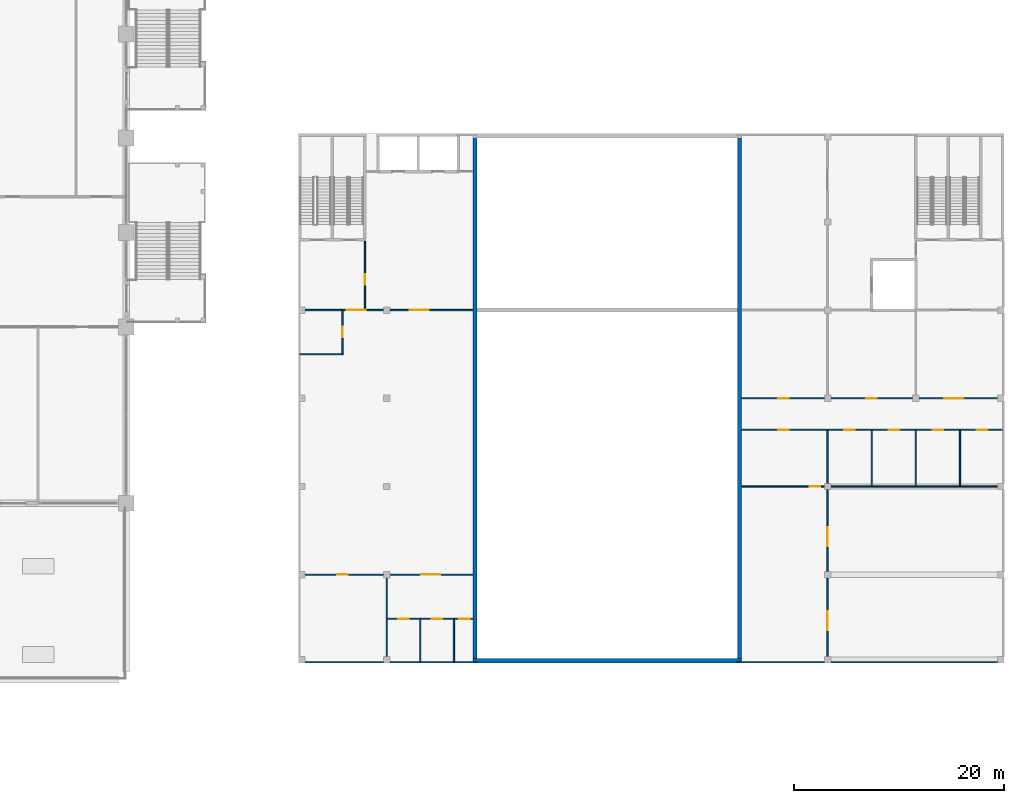
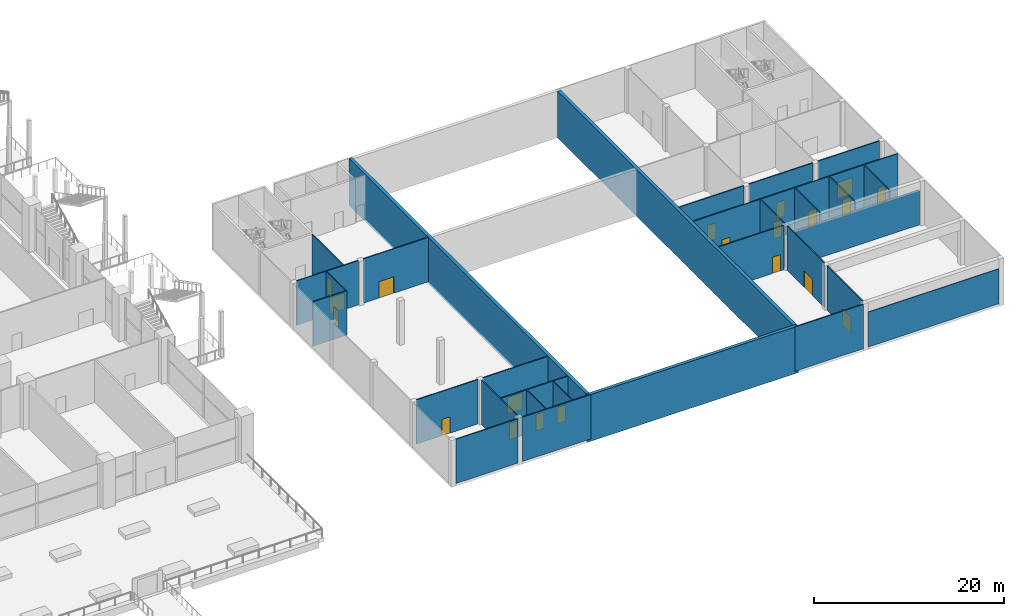
# One storey, part 27 of 47: 30 walls, 20 doors, 20 openings.
"""IFC4 building model written with IfcOpenShell, lengths in metres."""

from ifc_helpers import new_model, si_unit, direction, frame, frame_2d, origin, place, context, subcontext, project, spatial, rectangle, extrude, material, layer, layer_set, type_object, element, fill, save


model = new_model("IFC4")

# Units and contexts
model_context = context("Model", 3, precision=1e-05, world=origin(), true_north=direction((0.0, 1.0)))
body_context = subcontext(model_context, "Body", "Model", "MODEL_VIEW")
ifc_project = project(units=[si_unit("LENGTHUNIT", "METRE"), si_unit("AREAUNIT", "SQUARE_METRE"), si_unit("VOLUMEUNIT", "CUBIC_METRE"), si_unit("PLANEANGLEUNIT", "RADIAN"), si_unit("MASSUNIT", "GRAM", prefix="KILO")], contexts=[model_context])

# Site, building, storey
site_placement = place(None, origin())
site = spatial("IfcSite", under=ifc_project, at=site_placement, CompositionType="ELEMENT")
building_placement = place(site_placement, origin())
building = spatial("IfcBuilding", under=site, at=building_placement, Name="Candeia Pilgrim Tower and Theatre", CompositionType="ELEMENT")
storey_placement = place(building_placement, frame((0.0, 0.0, 23.0)))
storey = spatial("IfcBuildingStorey", under=building, at=storey_placement, Name="L03", CompositionType="ELEMENT", Elevation=23.0)

# Walls
ifc_material_1 = material(Name="Gypsum board on steel studs", Category="steel")
ifc_layer_1 = layer(ifc_material_1, 0.125)
ifc_layer_set_1 = layer_set([ifc_layer_1], Name="Partition 125")
wall_type_1 = type_object("IfcWallType", Name="Partition 125", PredefinedType="PARTITIONING", material=ifc_layer_set_1)
wall_1_placement = place(storey_placement, frame((176.60009765625, 66.0625, 0.0), z_axis=(0.0, 0.0, 1.0), x_axis=(1.0, 0.0, 0.0)))
element("IfcWall", 1, at=wall_1_placement, inside=storey, type_object=wall_type_1, Name="T-L03-W001", PredefinedType="PARTITIONING", context=body_context, shape_type="SweptSolid", body=[
    extrude(rectangle(XDim=7.5, YDim=0.125, at=frame_2d((3.75, 0.0))), origin(), (0.0, 0.0, 1.0), 5.699951171875),
])
for number, where, z_axis, x_axis, name in (
    (2, (184.699951171875, 66.0625, 0.0), (0.0, 0.0, 1.0), (1.0, 0.0, 0.0), "T-L03-W002"),
    (3, (217.800048828125, 66.0625, 0.0), (0.0, 0.0, 1.0), (1.0, 0.0, 0.0), "T-L03-W003"),
):
    element("IfcWall", number, at=place(storey_placement, frame(where, z_axis=z_axis, x_axis=x_axis)), inside=storey, type_object=wall_type_1, Name=name, PredefinedType="PARTITIONING", context=body_context, shape_type="SweptSolid", body=[
        extrude(rectangle(XDim=8.300048828125, YDim=0.125, at=frame_2d((4.14990234375, 0.0))), origin(), (0.0, 0.0, 1.0), 5.699951171875),
    ])
wall_2_placement = place(storey_placement, frame((226.699951171875, 66.0625, 0.0), z_axis=(0.0, 0.0, 1.0), x_axis=(1.0, 0.0, 0.0)))
element("IfcWall", 4, at=wall_2_placement, inside=storey, type_object=wall_type_1, Name="T-L03-W004", PredefinedType="PARTITIONING", context=body_context, shape_type="SweptSolid", body=[
    extrude(rectangle(XDim=15.900146484375, YDim=0.125, at=frame_2d((7.9501953125, 0.0))), origin(), (0.0, 0.0, 1.0), 4.5),
])

# Wall, openings, doors
wall_3_placement = place(storey_placement, frame((184.46240234375, 70.199951171875, 0.0), z_axis=(0.0, 0.0, 1.0), x_axis=(1.0, 0.0, 0.0)))
wall_3 = element("IfcWall", 5, at=wall_3_placement, inside=storey, type_object=wall_type_1, Name="T-L03-W006", PredefinedType="PARTITIONING", context=body_context, shape_type="SweptSolid", body=[
    extrude(rectangle(XDim=8.1376953125, YDim=0.125, at=frame_2d((4.06884765625, 0.0))), origin(), (0.0, 0.0, 1.0), 5.699951171875),
])
opening_1_placement = place(wall_3_placement, frame((1.03759765625, 0.0, 0.0)))
opening_1 = element("IfcOpeningElement", 6, at=opening_1_placement, cuts=wall_3, Name="Opening TD-L03-013", PredefinedType="OPENING", context=body_context, shape_type="SweptSolid", body=[
    extrude(rectangle(XDim=1.0, YDim=2.10009765625, at=frame_2d((0.5, 1.050048828125))), frame((0.0, 0.072509765625, 0.0), z_axis=(0.0, -1.0, 0.0), x_axis=(1.0, 0.0, 0.0)), (0.0, 0.0, 1.0), 0.14501953125),
])
opening_2_placement = place(wall_3_placement, frame((4.237548828125, 0.0, 0.0)))
opening_2 = element("IfcOpeningElement", 7, at=opening_2_placement, cuts=wall_3, Name="Opening TD-L03-014", PredefinedType="OPENING", context=body_context, shape_type="SweptSolid", body=[
    extrude(rectangle(XDim=1.0, YDim=2.10009765625, at=frame_2d((0.5, 1.050048828125))), frame((0.0, 0.072509765625, 0.0), z_axis=(0.0, -1.0, 0.0), x_axis=(1.0, 0.0, 0.0)), (0.0, 0.0, 1.0), 0.14501953125),
])
opening_3_placement = place(wall_3_placement, frame((6.83740234375, 0.0, 0.0)))
opening_3 = element("IfcOpeningElement", 8, at=opening_3_placement, cuts=wall_3, Name="Opening TD-L03-015", PredefinedType="OPENING", context=body_context, shape_type="SweptSolid", body=[
    extrude(rectangle(XDim=1.0, YDim=2.10009765625, at=frame_2d((0.5, 1.050048828125))), frame((0.0, 0.072509765625, 0.0), z_axis=(0.0, -1.0, 0.0), x_axis=(1.0, 0.0, 0.0)), (0.0, 0.0, 1.0), 0.14501953125),
])
ifc_material_2 = material(Name="Timber door leaf", Category="wood")
door_type_1 = type_object("IfcDoorType", Name="Door single 1000x2100", OperationType="NOTDEFINED", PredefinedType="DOOR", material=ifc_material_2)
door_1_placement = place(opening_1_placement, origin())
door_1 = element("IfcDoor", 9, at=door_1_placement, inside=storey, type_object=door_type_1, Name="Door TD-L03-013", OperationType="SINGLE_SWING_LEFT", OverallHeight=2.10009765625, OverallWidth=1.0, PredefinedType="DOOR", context=body_context, shape_type="SweptSolid", body=[
    extrude(rectangle(XDim=1.0, YDim=2.10009765625, at=frame_2d((0.5, 1.050048828125))), frame((0.0, 0.02490234375, 0.0), z_axis=(0.0, -1.0, 0.0), x_axis=(1.0, 0.0, 0.0)), (0.0, 0.0, 1.0), 0.050048828125),
])
fill(opening_1, door_1)
door_2_placement = place(opening_2_placement, origin())
door_2 = element("IfcDoor", 10, at=door_2_placement, inside=storey, type_object=door_type_1, Name="Door TD-L03-014", OperationType="SINGLE_SWING_RIGHT", OverallHeight=2.10009765625, OverallWidth=1.0, PredefinedType="DOOR", context=body_context, shape_type="SweptSolid", body=[
    extrude(rectangle(XDim=1.0, YDim=2.10009765625, at=frame_2d((0.5, 1.050048828125))), frame((0.0, 0.02490234375, 0.0), z_axis=(0.0, -1.0, 0.0), x_axis=(1.0, 0.0, 0.0)), (0.0, 0.0, 1.0), 0.050048828125),
])
fill(opening_2, door_2)
door_3_placement = place(opening_3_placement, origin())
door_3 = element("IfcDoor", 11, at=door_3_placement, inside=storey, type_object=door_type_1, Name="Door TD-L03-015", OperationType="SINGLE_SWING_LEFT", OverallHeight=2.10009765625, OverallWidth=1.0, PredefinedType="DOOR", context=body_context, shape_type="SweptSolid", body=[
    extrude(rectangle(XDim=1.0, YDim=2.10009765625, at=frame_2d((0.5, 1.050048828125))), frame((0.0, 0.02490234375, 0.0), z_axis=(0.0, -1.0, 0.0), x_axis=(1.0, 0.0, 0.0)), (0.0, 0.0, 1.0), 0.050048828125),
])
fill(opening_3, door_3)

# Wall, opening, door
wall_4_placement = place(storey_placement, frame((176.60009765625, 74.39990234375, 0.0), z_axis=(0.0, 0.0, 1.0), x_axis=(1.0, 0.0, 0.0)))
wall_4 = element("IfcWall", 12, at=wall_4_placement, inside=storey, type_object=wall_type_1, Name="T-L03-W007", PredefinedType="PARTITIONING", context=body_context, shape_type="SweptSolid", body=[
    extrude(rectangle(XDim=7.5, YDim=0.125, at=frame_2d((3.75, 0.0))), origin(), (0.0, 0.0, 1.0), 5.699951171875),
])
opening_4_placement = place(wall_4_placement, frame((3.10009765625, 0.0, 0.0)))
opening_4 = element("IfcOpeningElement", 13, at=opening_4_placement, cuts=wall_4, Name="Opening TD-L03-016", PredefinedType="OPENING", context=body_context, shape_type="SweptSolid", body=[
    extrude(rectangle(XDim=1.0, YDim=2.10009765625, at=frame_2d((0.5, 1.050048828125))), frame((0.0, 0.072509765625, 0.0), z_axis=(0.0, -1.0, 0.0), x_axis=(1.0, 0.0, 0.0)), (0.0, 0.0, 1.0), 0.14501953125),
])
door_4_placement = place(opening_4_placement, origin())
door_4 = element("IfcDoor", 14, at=door_4_placement, inside=storey, type_object=door_type_1, Name="Door TD-L03-016", OperationType="SINGLE_SWING_RIGHT", OverallHeight=2.10009765625, OverallWidth=1.0, PredefinedType="DOOR", context=body_context, shape_type="SweptSolid", body=[
    extrude(rectangle(XDim=1.0, YDim=2.10009765625, at=frame_2d((0.5, 1.050048828125))), frame((0.0, 0.02490234375, 0.0), z_axis=(0.0, -1.0, 0.0), x_axis=(1.0, 0.0, 0.0)), (0.0, 0.0, 1.0), 0.050048828125),
])
fill(opening_4, door_4)

wall_5_placement = place(storey_placement, frame((184.699951171875, 74.39990234375, 0.0), z_axis=(0.0, 0.0, 1.0), x_axis=(1.0, 0.0, 0.0)))
wall_5 = element("IfcWall", 15, at=wall_5_placement, inside=storey, type_object=wall_type_1, Name="T-L03-W008", PredefinedType="PARTITIONING", context=body_context, shape_type="SweptSolid", body=[
    extrude(rectangle(XDim=7.900146484375, YDim=0.125, at=frame_2d((3.9501953125, 0.0))), origin(), (0.0, 0.0, 1.0), 5.699951171875),
])
opening_5_placement = place(wall_5_placement, frame((3.0, 0.0, 0.0)))
opening_5 = element("IfcOpeningElement", 16, at=opening_5_placement, cuts=wall_5, Name="Opening TD-L03-012", PredefinedType="OPENING", context=body_context, shape_type="SweptSolid", body=[
    extrude(rectangle(XDim=1.800048828125, YDim=2.10009765625, at=frame_2d((0.89990234375, 1.050048828125))), frame((0.0, 0.072509765625, 0.0), z_axis=(0.0, -1.0, 0.0), x_axis=(1.0, 0.0, 0.0)), (0.0, 0.0, 1.0), 0.14501953125),
])
door_type_2 = type_object("IfcDoorType", Name="Door double 1800x2100", OperationType="DOUBLE_DOOR_SINGLE_SWING", PredefinedType="DOOR", material=ifc_material_2)
door_5_placement = place(opening_5_placement, origin())
door_5 = element("IfcDoor", 17, at=door_5_placement, inside=storey, type_object=door_type_2, Name="Door TD-L03-012", OperationType="DOUBLE_DOOR_SINGLE_SWING", OverallHeight=2.10009765625, OverallWidth=1.800048828125, PredefinedType="DOOR", context=body_context, shape_type="SweptSolid", body=[
    extrude(rectangle(XDim=1.800048828125, YDim=2.10009765625, at=frame_2d((0.89990234375, 1.050048828125))), frame((0.0, 0.02490234375, 0.0), z_axis=(0.0, -1.0, 0.0), x_axis=(1.0, 0.0, 0.0)), (0.0, 0.0, 1.0), 0.050048828125),
])
fill(opening_5, door_5)

wall_6_placement = place(storey_placement, frame((218.199951171875, 82.800048828125, 0.0), z_axis=(0.0, 0.0, 1.0), x_axis=(1.0, 0.0, 0.0)))
wall_6 = element("IfcWall", 18, at=wall_6_placement, inside=storey, type_object=wall_type_1, Name="T-L03-W009", PredefinedType="PARTITIONING", context=body_context, shape_type="SweptSolid", body=[
    extrude(rectangle(XDim=7.900146484375, YDim=0.125, at=frame_2d((3.9501953125, 0.0))), origin(), (0.0, 0.0, 1.0), 5.699951171875),
])
opening_6_placement = place(wall_6_placement, frame((6.5, 0.0, 0.0)))
opening_6 = element("IfcOpeningElement", 19, at=opening_6_placement, cuts=wall_6, Name="Opening TD-L03-022", PredefinedType="OPENING", context=body_context, shape_type="SweptSolid", body=[
    extrude(rectangle(XDim=1.0, YDim=2.10009765625, at=frame_2d((0.5, 1.050048828125))), frame((0.0, 0.072509765625, 0.0), z_axis=(0.0, -1.0, 0.0), x_axis=(1.0, 0.0, 0.0)), (0.0, 0.0, 1.0), 0.14501953125),
])
door_6_placement = place(opening_6_placement, origin())
door_6 = element("IfcDoor", 20, at=door_6_placement, inside=storey, type_object=door_type_1, Name="Door TD-L03-022", OperationType="SINGLE_SWING_RIGHT", OverallHeight=2.10009765625, OverallWidth=1.0, PredefinedType="DOOR", context=body_context, shape_type="SweptSolid", body=[
    extrude(rectangle(XDim=1.0, YDim=2.10009765625, at=frame_2d((0.5, 1.050048828125))), frame((0.0, 0.02490234375, 0.0), z_axis=(0.0, -1.0, 0.0), x_axis=(1.0, 0.0, 0.0)), (0.0, 0.0, 1.0), 0.050048828125),
])
fill(opening_6, door_6)

# Wall
wall_7_placement = place(storey_placement, frame((226.699951171875, 82.800048828125, 0.0), z_axis=(0.0, 0.0, 1.0), x_axis=(1.0, 0.0, 0.0)))
element("IfcWall", 21, at=wall_7_placement, inside=storey, type_object=wall_type_1, Name="T-L03-W010", PredefinedType="PARTITIONING", context=body_context, shape_type="SweptSolid", body=[
    extrude(rectangle(XDim=15.900146484375, YDim=0.125, at=frame_2d((7.9501953125, 0.0))), origin(), (0.0, 0.0, 1.0), 4.5),
])

# Wall, openings, doors
wall_8_placement = place(storey_placement, frame((218.199951171875, 88.199951171875, 0.0), z_axis=(0.0, 0.0, 1.0), x_axis=(1.0, 0.0, 0.0)))
wall_8 = element("IfcWall", 22, at=wall_8_placement, inside=storey, type_object=wall_type_1, Name="T-L03-W011", PredefinedType="PARTITIONING", context=body_context, shape_type="SweptSolid", body=[
    extrude(rectangle(XDim=24.875, YDim=0.125, at=frame_2d((12.4375, 0.0))), origin(), (0.0, 0.0, 1.0), 5.699951171875),
])
opening_7_placement = place(wall_8_placement, frame((3.5, 0.0, 0.0)))
opening_7 = element("IfcOpeningElement", 23, at=opening_7_placement, cuts=wall_8, Name="Opening TD-L03-023", PredefinedType="OPENING", context=body_context, shape_type="SweptSolid", body=[
    extrude(rectangle(XDim=1.0, YDim=2.10009765625, at=frame_2d((0.5, 1.050048828125))), frame((0.0, 0.072509765625, 0.0), z_axis=(0.0, -1.0, 0.0), x_axis=(1.0, 0.0, 0.0)), (0.0, 0.0, 1.0), 0.14501953125),
])
opening_8_placement = place(wall_8_placement, frame((9.800048828125, 0.0, 0.0)))
opening_8 = element("IfcOpeningElement", 24, at=opening_8_placement, cuts=wall_8, Name="Opening TD-L03-024", PredefinedType="OPENING", context=body_context, shape_type="SweptSolid", body=[
    extrude(rectangle(XDim=1.0, YDim=2.10009765625, at=frame_2d((0.5, 1.050048828125))), frame((0.0, 0.072509765625, 0.0), z_axis=(0.0, -1.0, 0.0), x_axis=(1.0, 0.0, 0.0)), (0.0, 0.0, 1.0), 0.14501953125),
])
opening_9_placement = place(wall_8_placement, frame((14.0, 0.0, 0.0)))
opening_9 = element("IfcOpeningElement", 25, at=opening_9_placement, cuts=wall_8, Name="Opening TD-L03-025", PredefinedType="OPENING", context=body_context, shape_type="SweptSolid", body=[
    extrude(rectangle(XDim=1.0, YDim=2.10009765625, at=frame_2d((0.5, 1.050048828125))), frame((0.0, 0.072509765625, 0.0), z_axis=(0.0, -1.0, 0.0), x_axis=(1.0, 0.0, 0.0)), (0.0, 0.0, 1.0), 0.14501953125),
])
opening_10_placement = place(wall_8_placement, frame((18.199951171875, 0.0, 0.0)))
opening_10 = element("IfcOpeningElement", 26, at=opening_10_placement, cuts=wall_8, Name="Opening TD-L03-026", PredefinedType="OPENING", context=body_context, shape_type="SweptSolid", body=[
    extrude(rectangle(XDim=1.0, YDim=2.10009765625, at=frame_2d((0.5, 1.050048828125))), frame((0.0, 0.072509765625, 0.0), z_axis=(0.0, -1.0, 0.0), x_axis=(1.0, 0.0, 0.0)), (0.0, 0.0, 1.0), 0.14501953125),
])
opening_11_placement = place(wall_8_placement, frame((22.39990234375, 0.0, 0.0)))
opening_11 = element("IfcOpeningElement", 27, at=opening_11_placement, cuts=wall_8, Name="Opening TD-L03-027", PredefinedType="OPENING", context=body_context, shape_type="SweptSolid", body=[
    extrude(rectangle(XDim=1.0, YDim=2.10009765625, at=frame_2d((0.5, 1.050048828125))), frame((0.0, 0.072509765625, 0.0), z_axis=(0.0, -1.0, 0.0), x_axis=(1.0, 0.0, 0.0)), (0.0, 0.0, 1.0), 0.14501953125),
])
door_7_placement = place(opening_7_placement, origin())
door_7 = element("IfcDoor", 28, at=door_7_placement, inside=storey, type_object=door_type_1, Name="Door TD-L03-023", OperationType="SINGLE_SWING_LEFT", OverallHeight=2.10009765625, OverallWidth=1.0, PredefinedType="DOOR", context=body_context, shape_type="SweptSolid", body=[
    extrude(rectangle(XDim=1.0, YDim=2.10009765625, at=frame_2d((0.5, 1.050048828125))), frame((0.0, 0.02490234375, 0.0), z_axis=(0.0, -1.0, 0.0), x_axis=(1.0, 0.0, 0.0)), (0.0, 0.0, 1.0), 0.050048828125),
])
fill(opening_7, door_7)
door_8_placement = place(opening_8_placement, origin())
door_8 = element("IfcDoor", 29, at=door_8_placement, inside=storey, type_object=door_type_1, Name="Door TD-L03-024", OperationType="SINGLE_SWING_RIGHT", OverallHeight=2.10009765625, OverallWidth=1.0, PredefinedType="DOOR", context=body_context, shape_type="SweptSolid", body=[
    extrude(rectangle(XDim=1.0, YDim=2.10009765625, at=frame_2d((0.5, 1.050048828125))), frame((0.0, 0.02490234375, 0.0), z_axis=(0.0, -1.0, 0.0), x_axis=(1.0, 0.0, 0.0)), (0.0, 0.0, 1.0), 0.050048828125),
])
fill(opening_8, door_8)
door_9_placement = place(opening_9_placement, origin())
door_9 = element("IfcDoor", 30, at=door_9_placement, inside=storey, type_object=door_type_1, Name="Door TD-L03-025", OperationType="SINGLE_SWING_LEFT", OverallHeight=2.10009765625, OverallWidth=1.0, PredefinedType="DOOR", context=body_context, shape_type="SweptSolid", body=[
    extrude(rectangle(XDim=1.0, YDim=2.10009765625, at=frame_2d((0.5, 1.050048828125))), frame((0.0, 0.02490234375, 0.0), z_axis=(0.0, -1.0, 0.0), x_axis=(1.0, 0.0, 0.0)), (0.0, 0.0, 1.0), 0.050048828125),
])
fill(opening_9, door_9)
door_10_placement = place(opening_10_placement, origin())
door_10 = element("IfcDoor", 31, at=door_10_placement, inside=storey, type_object=door_type_1, Name="Door TD-L03-026", OperationType="SINGLE_SWING_RIGHT", OverallHeight=2.10009765625, OverallWidth=1.0, PredefinedType="DOOR", context=body_context, shape_type="SweptSolid", body=[
    extrude(rectangle(XDim=1.0, YDim=2.10009765625, at=frame_2d((0.5, 1.050048828125))), frame((0.0, 0.02490234375, 0.0), z_axis=(0.0, -1.0, 0.0), x_axis=(1.0, 0.0, 0.0)), (0.0, 0.0, 1.0), 0.050048828125),
])
fill(opening_10, door_10)
door_11_placement = place(opening_11_placement, origin())
door_11 = element("IfcDoor", 32, at=door_11_placement, inside=storey, type_object=door_type_1, Name="Door TD-L03-027", OperationType="SINGLE_SWING_LEFT", OverallHeight=2.10009765625, OverallWidth=1.0, PredefinedType="DOOR", context=body_context, shape_type="SweptSolid", body=[
    extrude(rectangle(XDim=1.0, YDim=2.10009765625, at=frame_2d((0.5, 1.050048828125))), frame((0.0, 0.02490234375, 0.0), z_axis=(0.0, -1.0, 0.0), x_axis=(1.0, 0.0, 0.0)), (0.0, 0.0, 1.0), 0.050048828125),
])
fill(opening_11, door_11)

# Wall, opening, door
wall_9_placement = place(storey_placement, frame((218.199951171875, 91.199951171875, 0.0), z_axis=(0.0, 0.0, 1.0), x_axis=(1.0, 0.0, 0.0)))
wall_9 = element("IfcWall", 33, at=wall_9_placement, inside=storey, type_object=wall_type_1, Name="T-L03-W012", PredefinedType="PARTITIONING", context=body_context, shape_type="SweptSolid", body=[
    extrude(rectangle(XDim=7.900146484375, YDim=0.125, at=frame_2d((3.9501953125, 0.0))), origin(), (0.0, 0.0, 1.0), 5.699951171875),
])
opening_12_placement = place(wall_9_placement, frame((3.5, 0.0, 0.0)))
opening_12 = element("IfcOpeningElement", 34, at=opening_12_placement, cuts=wall_9, Name="Opening TD-L03-028", PredefinedType="OPENING", context=body_context, shape_type="SweptSolid", body=[
    extrude(rectangle(XDim=1.0, YDim=2.10009765625, at=frame_2d((0.5, 1.050048828125))), frame((0.0, 0.072509765625, 0.0), z_axis=(0.0, -1.0, 0.0), x_axis=(1.0, 0.0, 0.0)), (0.0, 0.0, 1.0), 0.14501953125),
])
door_12_placement = place(opening_12_placement, origin())
door_12 = element("IfcDoor", 35, at=door_12_placement, inside=storey, type_object=door_type_1, Name="Door TD-L03-028", OperationType="SINGLE_SWING_RIGHT", OverallHeight=2.10009765625, OverallWidth=1.0, PredefinedType="DOOR", context=body_context, shape_type="SweptSolid", body=[
    extrude(rectangle(XDim=1.0, YDim=2.10009765625, at=frame_2d((0.5, 1.050048828125))), frame((0.0, 0.02490234375, 0.0), z_axis=(0.0, -1.0, 0.0), x_axis=(1.0, 0.0, 0.0)), (0.0, 0.0, 1.0), 0.050048828125),
])
fill(opening_12, door_12)

wall_10_placement = place(storey_placement, frame((226.699951171875, 91.199951171875, 0.0), z_axis=(0.0, 0.0, 1.0), x_axis=(1.0, 0.0, 0.0)))
wall_10 = element("IfcWall", 36, at=wall_10_placement, inside=storey, type_object=wall_type_1, Name="T-L03-W013", PredefinedType="PARTITIONING", context=body_context, shape_type="SweptSolid", body=[
    extrude(rectangle(XDim=7.800048828125, YDim=0.125, at=frame_2d((3.89990234375, 0.0))), origin(), (0.0, 0.0, 1.0), 5.699951171875),
])
opening_13_placement = place(wall_10_placement, frame((3.39990234375, 0.0, 0.0)))
opening_13 = element("IfcOpeningElement", 37, at=opening_13_placement, cuts=wall_10, Name="Opening TD-L03-029", PredefinedType="OPENING", context=body_context, shape_type="SweptSolid", body=[
    extrude(rectangle(XDim=1.0, YDim=2.10009765625, at=frame_2d((0.5, 1.050048828125))), frame((0.0, 0.072509765625, 0.0), z_axis=(0.0, -1.0, 0.0), x_axis=(1.0, 0.0, 0.0)), (0.0, 0.0, 1.0), 0.14501953125),
])
door_13_placement = place(opening_13_placement, origin())
door_13 = element("IfcDoor", 38, at=door_13_placement, inside=storey, type_object=door_type_1, Name="Door TD-L03-029", OperationType="SINGLE_SWING_LEFT", OverallHeight=2.10009765625, OverallWidth=1.0, PredefinedType="DOOR", context=body_context, shape_type="SweptSolid", body=[
    extrude(rectangle(XDim=1.0, YDim=2.10009765625, at=frame_2d((0.5, 1.050048828125))), frame((0.0, 0.02490234375, 0.0), z_axis=(0.0, -1.0, 0.0), x_axis=(1.0, 0.0, 0.0)), (0.0, 0.0, 1.0), 0.050048828125),
])
fill(opening_13, door_13)

wall_11_placement = place(storey_placement, frame((235.10009765625, 91.199951171875, 0.0), z_axis=(0.0, 0.0, 1.0), x_axis=(1.0, 0.0, 0.0)))
wall_11 = element("IfcWall", 39, at=wall_11_placement, inside=storey, type_object=wall_type_1, Name="T-L03-W014", PredefinedType="PARTITIONING", context=body_context, shape_type="SweptSolid", body=[
    extrude(rectangle(XDim=7.5, YDim=0.125, at=frame_2d((3.75, 0.0))), origin(), (0.0, 0.0, 1.0), 5.699951171875),
])
opening_14_placement = place(wall_11_placement, frame((2.39990234375, 0.0, 0.0)))
opening_14 = element("IfcOpeningElement", 40, at=opening_14_placement, cuts=wall_11, Name="Opening TD-L03-030", PredefinedType="OPENING", context=body_context, shape_type="SweptSolid", body=[
    extrude(rectangle(XDim=1.800048828125, YDim=2.10009765625, at=frame_2d((0.89990234375, 1.050048828125))), frame((0.0, 0.072509765625, 0.0), z_axis=(0.0, -1.0, 0.0), x_axis=(1.0, 0.0, 0.0)), (0.0, 0.0, 1.0), 0.14501953125),
])
door_14_placement = place(opening_14_placement, origin())
door_14 = element("IfcDoor", 41, at=door_14_placement, inside=storey, type_object=door_type_2, Name="Door TD-L03-030", OperationType="DOUBLE_DOOR_SINGLE_SWING", OverallHeight=2.10009765625, OverallWidth=1.800048828125, PredefinedType="DOOR", context=body_context, shape_type="SweptSolid", body=[
    extrude(rectangle(XDim=1.800048828125, YDim=2.10009765625, at=frame_2d((0.89990234375, 1.050048828125))), frame((0.0, 0.02490234375, 0.0), z_axis=(0.0, -1.0, 0.0), x_axis=(1.0, 0.0, 0.0)), (0.0, 0.0, 1.0), 0.050048828125),
])
fill(opening_14, door_14)

# Wall
wall_12_placement = place(storey_placement, frame((176.125, 95.39990234375, 0.0), z_axis=(0.0, 0.0, 1.0), x_axis=(1.0, 0.0, 0.0)))
element("IfcWall", 42, at=wall_12_placement, inside=storey, type_object=wall_type_1, Name="T-L03-W015", PredefinedType="PARTITIONING", context=body_context, shape_type="SweptSolid", body=[
    extrude(rectangle(XDim=4.137451171875, YDim=0.125, at=frame_2d((2.06884765625, 0.0))), origin(), (0.0, 0.0, 1.0), 5.699951171875),
])

# Wall, opening, door
wall_13_placement = place(storey_placement, frame((176.60009765625, 99.60009765625, 0.0), z_axis=(0.0, 0.0, 1.0), x_axis=(1.0, 0.0, 0.0)))
wall_13 = element("IfcWall", 43, at=wall_13_placement, inside=storey, type_object=wall_type_1, Name="T-L03-W016", PredefinedType="PARTITIONING", context=body_context, shape_type="SweptSolid", body=[
    extrude(rectangle(XDim=7.5, YDim=0.125, at=frame_2d((3.75, 0.0))), origin(), (0.0, 0.0, 1.0), 5.699951171875),
])
opening_15_placement = place(wall_13_placement, frame((4.0, 0.0, 0.0)))
opening_15 = element("IfcOpeningElement", 44, at=opening_15_placement, cuts=wall_13, Name="Opening TD-L03-018", PredefinedType="OPENING", context=body_context, shape_type="SweptSolid", body=[
    extrude(rectangle(XDim=1.800048828125, YDim=2.10009765625, at=frame_2d((0.89990234375, 1.050048828125))), frame((0.0, 0.072509765625, 0.0), z_axis=(0.0, -1.0, 0.0), x_axis=(1.0, 0.0, 0.0)), (0.0, 0.0, 1.0), 0.14501953125),
])
door_15_placement = place(opening_15_placement, origin())
door_15 = element("IfcDoor", 45, at=door_15_placement, inside=storey, type_object=door_type_2, Name="Door TD-L03-018", OperationType="DOUBLE_DOOR_SINGLE_SWING", OverallHeight=2.10009765625, OverallWidth=1.800048828125, PredefinedType="DOOR", context=body_context, shape_type="SweptSolid", body=[
    extrude(rectangle(XDim=1.800048828125, YDim=2.10009765625, at=frame_2d((0.89990234375, 1.050048828125))), frame((0.0, 0.02490234375, 0.0), z_axis=(0.0, -1.0, 0.0), x_axis=(1.0, 0.0, 0.0)), (0.0, 0.0, 1.0), 0.050048828125),
])
fill(opening_15, door_15)

wall_14_placement = place(storey_placement, frame((184.699951171875, 99.60009765625, 0.0), z_axis=(0.0, 0.0, 1.0), x_axis=(1.0, 0.0, 0.0)))
wall_14 = element("IfcWall", 46, at=wall_14_placement, inside=storey, type_object=wall_type_1, Name="T-L03-W017", PredefinedType="PARTITIONING", context=body_context, shape_type="SweptSolid", body=[
    extrude(rectangle(XDim=7.900146484375, YDim=0.125, at=frame_2d((3.9501953125, 0.0))), origin(), (0.0, 0.0, 1.0), 5.699951171875),
])
opening_16_placement = place(wall_14_placement, frame((1.89990234375, 0.0, 0.0)))
opening_16 = element("IfcOpeningElement", 47, at=opening_16_placement, cuts=wall_14, Name="Opening TD-L03-019", PredefinedType="OPENING", context=body_context, shape_type="SweptSolid", body=[
    extrude(rectangle(XDim=1.800048828125, YDim=2.10009765625, at=frame_2d((0.89990234375, 1.050048828125))), frame((0.0, 0.072509765625, 0.0), z_axis=(0.0, -1.0, 0.0), x_axis=(1.0, 0.0, 0.0)), (0.0, 0.0, 1.0), 0.14501953125),
])
door_16_placement = place(opening_16_placement, origin())
door_16 = element("IfcDoor", 48, at=door_16_placement, inside=storey, type_object=door_type_2, Name="Door TD-L03-019", OperationType="DOUBLE_DOOR_SINGLE_SWING", OverallHeight=2.10009765625, OverallWidth=1.800048828125, PredefinedType="DOOR", context=body_context, shape_type="SweptSolid", body=[
    extrude(rectangle(XDim=1.800048828125, YDim=2.10009765625, at=frame_2d((0.89990234375, 1.050048828125))), frame((0.0, 0.02490234375, 0.0), z_axis=(0.0, -1.0, 0.0), x_axis=(1.0, 0.0, 0.0)), (0.0, 0.0, 1.0), 0.050048828125),
])
fill(opening_16, door_16)

wall_15_placement = place(storey_placement, frame((180.199951171875, 95.46240234375, 0.0), z_axis=(0.0, 0.0, 1.0), x_axis=(0.0, 1.0, 0.0)))
wall_15 = element("IfcWall", 49, at=wall_15_placement, inside=storey, type_object=wall_type_1, Name="T-L03-W043", PredefinedType="PARTITIONING", context=body_context, shape_type="SweptSolid", body=[
    extrude(rectangle(XDim=4.0751953125, YDim=0.125, at=frame_2d((2.03759765625, 0.0))), origin(), (0.0, 0.0, 1.0), 5.699951171875),
])
opening_17_placement = place(wall_15_placement, frame((1.53759765625, 0.0, 0.0)))
opening_17 = element("IfcOpeningElement", 50, at=opening_17_placement, cuts=wall_15, Name="Opening TD-L03-017", PredefinedType="OPENING", context=body_context, shape_type="SweptSolid", body=[
    extrude(rectangle(XDim=1.0, YDim=2.10009765625, at=frame_2d((0.5, 1.050048828125))), frame((0.0, 0.072509765625, 0.0), z_axis=(0.0, -1.0, 0.0), x_axis=(1.0, 0.0, 0.0)), (0.0, 0.0, 1.0), 0.14501953125),
])
door_17_placement = place(opening_17_placement, origin())
door_17 = element("IfcDoor", 51, at=door_17_placement, inside=storey, type_object=door_type_1, Name="Door TD-L03-017", OperationType="SINGLE_SWING_LEFT", OverallHeight=2.10009765625, OverallWidth=1.0, PredefinedType="DOOR", context=body_context, shape_type="SweptSolid", body=[
    extrude(rectangle(XDim=1.0, YDim=2.10009765625, at=frame_2d((0.5, 1.050048828125))), frame((0.0, 0.02490234375, 0.0), z_axis=(0.0, -1.0, 0.0), x_axis=(1.0, 0.0, 0.0)), (0.0, 0.0, 1.0), 0.050048828125),
])
fill(opening_17, door_17)

wall_16_placement = place(storey_placement, frame((182.324951171875, 99.66259765625, 0.0), z_axis=(0.0, 0.0, 1.0), x_axis=(0.0, 1.0, 0.0)))
wall_16 = element("IfcWall", 52, at=wall_16_placement, inside=storey, type_object=wall_type_1, Name="T-L03-W044", PredefinedType="PARTITIONING", context=body_context, shape_type="SweptSolid", body=[
    extrude(rectangle(XDim=6.512451171875, YDim=0.125, at=frame_2d((3.25634765625, 0.0))), origin(), (0.0, 0.0, 1.0), 5.699951171875),
])
opening_18_placement = place(wall_16_placement, frame((2.33740234375, 0.0, 0.0)))
opening_18 = element("IfcOpeningElement", 53, at=opening_18_placement, cuts=wall_16, Name="Opening TD-L03-003", PredefinedType="OPENING", context=body_context, shape_type="SweptSolid", body=[
    extrude(rectangle(XDim=1.0, YDim=2.10009765625, at=frame_2d((0.5, 1.050048828125))), frame((0.0, 0.072509765625, 0.0), z_axis=(0.0, -1.0, 0.0), x_axis=(1.0, 0.0, 0.0)), (0.0, 0.0, 1.0), 0.14501953125),
])
ifc_material_3 = material(Name="Steel fire door leaf", Category="steel")
door_type_3 = type_object("IfcDoorType", Name="Door fire single 1000x2100", OperationType="NOTDEFINED", PredefinedType="DOOR", material=ifc_material_3)
door_18_placement = place(opening_18_placement, origin())
door_18 = element("IfcDoor", 54, at=door_18_placement, inside=storey, type_object=door_type_3, Name="Door TD-L03-003", OperationType="SINGLE_SWING_LEFT", OverallHeight=2.10009765625, OverallWidth=1.0, PredefinedType="DOOR", context=body_context, shape_type="SweptSolid", body=[
    extrude(rectangle(XDim=1.0, YDim=2.10009765625, at=frame_2d((0.5, 1.050048828125))), frame((0.0, 0.02490234375, 0.0), z_axis=(0.0, -1.0, 0.0), x_axis=(1.0, 0.0, 0.0)), (0.0, 0.0, 1.0), 0.050048828125),
])
fill(opening_18, door_18)

# Walls
wall_17_placement = place(storey_placement, frame((184.39990234375, 66.60009765625, 0.0), z_axis=(0.0, 0.0, 1.0), x_axis=(0.0, 1.0, 0.0)))
element("IfcWall", 55, at=wall_17_placement, inside=storey, type_object=wall_type_1, Name="T-L03-W047", PredefinedType="PARTITIONING", context=body_context, shape_type="SweptSolid", body=[
    extrude(rectangle(XDim=7.5, YDim=0.125, at=frame_2d((3.75, 0.0))), origin(), (0.0, 0.0, 1.0), 5.699951171875),
])
for number, where, z_axis, x_axis, name in (
    (56, (187.60009765625, 66.125, 0.0), (0.0, 0.0, 1.0), (0.0, 1.0, 0.0), "T-L03-W049"),
    (57, (190.800048828125, 66.125, 0.0), (0.0, 0.0, 1.0), (0.0, 1.0, 0.0), "T-L03-W050"),
):
    element("IfcWall", number, at=place(storey_placement, frame(where, z_axis=z_axis, x_axis=x_axis)), inside=storey, type_object=wall_type_1, Name=name, PredefinedType="PARTITIONING", context=body_context, shape_type="SweptSolid", body=[
        extrude(rectangle(XDim=4.012451171875, YDim=0.125, at=frame_2d((2.00634765625, 0.0))), origin(), (0.0, 0.0, 1.0), 5.699951171875),
    ])

# Wall, opening, door
wall_18_placement = place(storey_placement, frame((226.39990234375, 66.60009765625, 0.0), z_axis=(0.0, 0.0, 1.0), x_axis=(0.0, 1.0, 0.0)))
wall_18 = element("IfcWall", 58, at=wall_18_placement, inside=storey, type_object=wall_type_1, Name="T-L03-W054", PredefinedType="PARTITIONING", context=body_context, shape_type="SweptSolid", body=[
    extrude(rectangle(XDim=7.5, YDim=0.125, at=frame_2d((3.75, 0.0))), origin(), (0.0, 0.0, 1.0), 5.699951171875),
])
opening_19_placement = place(wall_18_placement, frame((2.5, 0.0, 0.0)))
opening_19 = element("IfcOpeningElement", 59, at=opening_19_placement, cuts=wall_18, Name="Opening TD-L03-020", PredefinedType="OPENING", context=body_context, shape_type="SweptSolid", body=[
    extrude(rectangle(XDim=1.800048828125, YDim=2.10009765625, at=frame_2d((0.89990234375, 1.050048828125))), frame((0.0, 0.072509765625, 0.0), z_axis=(0.0, -1.0, 0.0), x_axis=(1.0, 0.0, 0.0)), (0.0, 0.0, 1.0), 0.14501953125),
])
door_19_placement = place(opening_19_placement, origin())
door_19 = element("IfcDoor", 60, at=door_19_placement, inside=storey, type_object=door_type_2, Name="Door TD-L03-020", OperationType="DOUBLE_DOOR_SINGLE_SWING", OverallHeight=2.10009765625, OverallWidth=1.800048828125, PredefinedType="DOOR", context=body_context, shape_type="SweptSolid", body=[
    extrude(rectangle(XDim=1.800048828125, YDim=2.10009765625, at=frame_2d((0.89990234375, 1.050048828125))), frame((0.0, 0.02490234375, 0.0), z_axis=(0.0, -1.0, 0.0), x_axis=(1.0, 0.0, 0.0)), (0.0, 0.0, 1.0), 0.050048828125),
])
fill(opening_19, door_19)

wall_19_placement = place(storey_placement, frame((226.39990234375, 74.699951171875, 0.0), z_axis=(0.0, 0.0, 1.0), x_axis=(0.0, 1.0, 0.0)))
wall_19 = element("IfcWall", 61, at=wall_19_placement, inside=storey, type_object=wall_type_1, Name="T-L03-W055", PredefinedType="PARTITIONING", context=body_context, shape_type="SweptSolid", body=[
    extrude(rectangle(XDim=7.800048828125, YDim=0.125, at=frame_2d((3.89990234375, 0.0))), origin(), (0.0, 0.0, 1.0), 5.699951171875),
])
opening_20_placement = place(wall_19_placement, frame((2.39990234375, 0.0, 0.0)))
opening_20 = element("IfcOpeningElement", 62, at=opening_20_placement, cuts=wall_19, Name="Opening TD-L03-021", PredefinedType="OPENING", context=body_context, shape_type="SweptSolid", body=[
    extrude(rectangle(XDim=1.800048828125, YDim=2.10009765625, at=frame_2d((0.89990234375, 1.050048828125))), frame((0.0, 0.072509765625, 0.0), z_axis=(0.0, -1.0, 0.0), x_axis=(1.0, 0.0, 0.0)), (0.0, 0.0, 1.0), 0.14501953125),
])
door_20_placement = place(opening_20_placement, origin())
door_20 = element("IfcDoor", 63, at=door_20_placement, inside=storey, type_object=door_type_2, Name="Door TD-L03-021", OperationType="DOUBLE_DOOR_SINGLE_SWING", OverallHeight=2.10009765625, OverallWidth=1.800048828125, PredefinedType="DOOR", context=body_context, shape_type="SweptSolid", body=[
    extrude(rectangle(XDim=1.800048828125, YDim=2.10009765625, at=frame_2d((0.89990234375, 1.050048828125))), frame((0.0, 0.02490234375, 0.0), z_axis=(0.0, -1.0, 0.0), x_axis=(1.0, 0.0, 0.0)), (0.0, 0.0, 1.0), 0.050048828125),
])
fill(opening_20, door_20)

# Walls
wall_20_placement = place(storey_placement, frame((226.39990234375, 83.10009765625, 0.0), z_axis=(0.0, 0.0, 1.0), x_axis=(0.0, 1.0, 0.0)))
element("IfcWall", 64, at=wall_20_placement, inside=storey, type_object=wall_type_1, Name="T-L03-W056", PredefinedType="PARTITIONING", context=body_context, shape_type="SweptSolid", body=[
    extrude(rectangle(XDim=5.037353515625, YDim=0.125, at=frame_2d((2.5185546875, 0.0))), origin(), (0.0, 0.0, 1.0), 5.699951171875),
])
for number, where, z_axis, x_axis, name in (
    (65, (230.60009765625, 82.862548828125, 0.0), (0.0, 0.0, 1.0), (0.0, 1.0, 0.0), "T-L03-W060"),
    (66, (234.800048828125, 82.862548828125, 0.0), (0.0, 0.0, 1.0), (0.0, 1.0, 0.0), "T-L03-W062"),
    (67, (239.0, 82.862548828125, 0.0), (0.0, 0.0, 1.0), (0.0, 1.0, 0.0), "T-L03-W068"),
):
    element("IfcWall", number, at=place(storey_placement, frame(where, z_axis=z_axis, x_axis=x_axis)), inside=storey, type_object=wall_type_1, Name=name, PredefinedType="PARTITIONING", context=body_context, shape_type="SweptSolid", body=[
        extrude(rectangle(XDim=5.27490234375, YDim=0.125, at=frame_2d((2.637451171875, 0.0))), origin(), (0.0, 0.0, 1.0), 5.699951171875),
    ])
ifc_material_4 = material(Name="Concrete C40/50", Category="concrete")
ifc_layer_2 = layer(ifc_material_4, 0.39990234375)
ifc_layer_set_2 = layer_set([ifc_layer_2], Name="RC wall 400 house C40/50")
wall_type_2 = type_object("IfcWallType", Name="RC wall 400 house C40/50", PredefinedType="SOLIDWALL", material=ifc_layer_set_2)
wall_21_placement = place(storey_placement, frame((192.60009765625, 66.199951171875, -0.300048828125), z_axis=(0.0, 0.0, 1.0), x_axis=(1.0, 0.0, 0.0)))
element("IfcWall", 68, at=wall_21_placement, inside=storey, type_object=wall_type_2, Name="T-L03-W005", PredefinedType="SOLIDWALL", context=body_context, shape_type="SweptSolid", body=[
    extrude(rectangle(XDim=25.599853515625, YDim=0.39990234375, at=frame_2d((12.7998046875, 0.0))), origin(), (0.0, 0.0, 1.0), 6.0),
])
wall_22_placement = place(storey_placement, frame((192.800048828125, 66.125, -0.300048828125), z_axis=(0.0, 0.0, 1.0), x_axis=(0.0, 1.0, 0.0)))
element("IfcWall", 69, at=wall_22_placement, inside=storey, type_object=wall_type_2, Name="T-L03-W052", PredefinedType="SOLIDWALL", context=body_context, shape_type="SweptSolid", body=[
    extrude(rectangle(XDim=50.14990234375, YDim=0.39990234375, at=frame_2d((25.074951171875, 0.0))), origin(), (0.0, 0.0, 1.0), 6.0),
])
wall_23_placement = place(storey_placement, frame((218.0, 66.39990234375, -0.300048828125), z_axis=(0.0, 0.0, 1.0), x_axis=(0.0, 1.0, 0.0)))
element("IfcWall", 70, at=wall_23_placement, inside=storey, type_object=wall_type_2, Name="T-L03-W053", PredefinedType="SOLIDWALL", context=body_context, shape_type="SweptSolid", body=[
    extrude(rectangle(XDim=49.60009765625, YDim=0.39990234375, at=frame_2d((24.800048828125, 0.0))), origin(), (0.0, 0.0, 1.0), 6.0),
])

save(model, "model.ifc")
